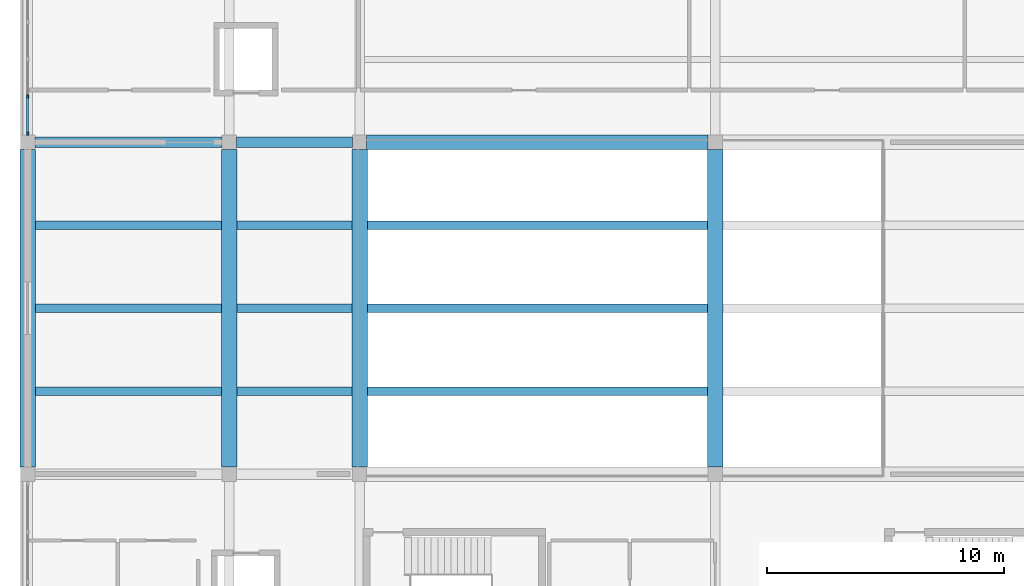
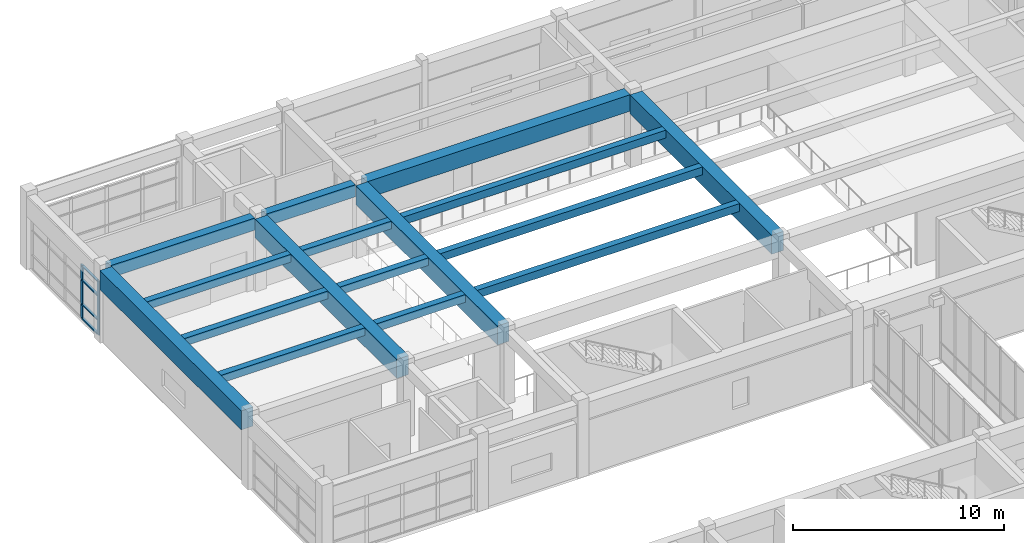
# One storey, part 13 of 72: 16 beams, 6 members, 1 element without a shape of its own.
"""IFC4 building model written with IfcOpenShell, lengths in metres."""

from ifc_helpers import new_model, si_unit, direction, frame, origin, origin_2d, place, context, subcontext, project, spatial, rectangle, extrude, material, layer, layer_set, material_profile, profile_set, type_object, element, aggregate, save


model = new_model("IFC4")

# Units and contexts
model_context = context("Model", 3, precision=1e-05, world=origin(), true_north=direction((0.0, 1.0)))
body_context = subcontext(model_context, "Body", "Model", "MODEL_VIEW")
ifc_project = project(units=[si_unit("LENGTHUNIT", "METRE"), si_unit("AREAUNIT", "SQUARE_METRE"), si_unit("VOLUMEUNIT", "CUBIC_METRE"), si_unit("PLANEANGLEUNIT", "RADIAN"), si_unit("MASSUNIT", "GRAM", prefix="KILO")], contexts=[model_context])

# Site, building, storey
site_placement = place(None, origin())
site = spatial("IfcSite", under=ifc_project, at=site_placement, CompositionType="ELEMENT")
building_placement = place(site_placement, origin())
building = spatial("IfcBuilding", under=site, at=building_placement, Name="Naurynzar Civic Courthouse", CompositionType="ELEMENT")
storey_placement = place(building_placement, frame((0.0, 0.0, 9.89990234375)))
storey = spatial("IfcBuildingStorey", under=building, at=storey_placement, Name="L03", CompositionType="ELEMENT", Elevation=9.89990234375)

# Beams
ifc_material_1 = material(Name="Concrete C40/50", Category="concrete")
ifc_material_profile_1 = material_profile(ifc_material_1, rectangle(XDim=0.60009765625, YDim=0.949951171875, at=origin_2d()), Name="PTB 600x950")
ifc_profile_set_1 = profile_set([ifc_material_profile_1], Name="Concrete C40/50")
beam_type_1 = type_object("IfcBeamType", Name="BM-PT-600x950", PredefinedType="T_BEAM", material=ifc_profile_set_1)
beam_1_placement = place(storey_placement, frame((20.300048828125, 65.0, 3.755126953125), z_axis=(1.0, 0.0, 0.0), x_axis=(0.0, 1.0, 0.0)))
element("IfcBeam", 1, at=beam_1_placement, inside=storey, type_object=beam_type_1, Name="V1 beam X-177 L03", PredefinedType="T_BEAM", context=body_context, shape_type="SweptSolid", body=[
    extrude(rectangle(XDim=0.60009765625, YDim=0.949951171875, at=origin_2d()), origin(), (0.0, 0.0, 1.0), 14.39990234375),
])
ifc_material_2 = material(Name="Concrete C40/50", Category="concrete")
ifc_material_profile_2 = material_profile(ifc_material_2, rectangle(XDim=0.64990234375, YDim=1.10009765625, at=origin_2d()), Name="PTB 650x1100")
ifc_profile_set_2 = profile_set([ifc_material_profile_2], Name="Concrete C40/50")
beam_type_2 = type_object("IfcBeamType", Name="BM-PT-650x1100", PredefinedType="T_BEAM", material=ifc_profile_set_2)
for number, where, z_axis, x_axis, name in (
    (2, (6.0, 51.300048828125, 3.68017578125), (0.0, 1.0, 0.0), (-1.0, 0.0, 0.0), "V1 girder Y-186 L03"),
    (3, (14.5, 51.300048828125, 3.68017578125), (0.0, 1.0, 0.0), (-1.0, 0.0, 0.0), "V1 girder Y-189 L03"),
    (4, (20.0, 51.300048828125, 3.68017578125), (0.0, 1.0, 0.0), (-1.0, 0.0, 0.0), "V1 girder Y-192 L03"),
    (5, (35.0, 51.300048828125, 3.68017578125), (0.0, 1.0, 0.0), (-1.0, 0.0, 0.0), "V1 girder Y-195 L03"),
):
    element("IfcBeam", number, at=place(storey_placement, frame(where, z_axis=z_axis, x_axis=x_axis)), inside=storey, type_object=beam_type_2, Name=name, PredefinedType="T_BEAM", context=body_context, shape_type="SweptSolid", body=[
        extrude(rectangle(XDim=0.64990234375, YDim=1.10009765625, at=origin_2d()), origin(), (0.0, 0.0, 1.0), 13.39990234375),
    ])
ifc_material_3 = material(Name="Concrete C40/50", Category="concrete")
ifc_material_profile_3 = material_profile(ifc_material_3, rectangle(XDim=0.35009765625, YDim=0.449951171875, at=origin_2d()), Name="RCB 350x450")
ifc_profile_set_3 = profile_set([ifc_material_profile_3], Name="Concrete C40/50")
beam_type_3 = type_object("IfcBeamType", Name="BM-RC-350x450", PredefinedType="BEAM", material=ifc_profile_set_3)
for number, where, z_axis, x_axis, name in (
    (6, (6.324951171875, 54.5, 4.005126953125), (1.0, 0.0, 0.0), (0.0, 1.0, 0.0), "V1 secondary rib 204 L03"),
    (7, (6.324951171875, 58.0, 4.005126953125), (1.0, 0.0, 0.0), (0.0, 1.0, 0.0), "V1 secondary rib 205 L03"),
    (8, (6.324951171875, 61.5, 4.005126953125), (1.0, 0.0, 0.0), (0.0, 1.0, 0.0), "V1 secondary rib 206 L03"),
):
    element("IfcBeam", number, at=place(storey_placement, frame(where, z_axis=z_axis, x_axis=x_axis)), inside=storey, type_object=beam_type_3, Name=name, PredefinedType="BEAM", context=body_context, shape_type="SweptSolid", body=[
        extrude(rectangle(XDim=0.35009765625, YDim=0.449951171875, at=origin_2d()), origin(), (0.0, 0.0, 1.0), 7.85009765625),
    ])
for number, where, z_axis, x_axis, name in (
    (9, (14.824951171875, 54.5, 4.005126953125), (1.0, 0.0, 0.0), (0.0, 1.0, 0.0), "V1 secondary rib 207 L03"),
    (10, (14.824951171875, 58.0, 4.005126953125), (1.0, 0.0, 0.0), (0.0, 1.0, 0.0), "V1 secondary rib 208 L03"),
    (11, (14.824951171875, 61.5, 4.005126953125), (1.0, 0.0, 0.0), (0.0, 1.0, 0.0), "V1 secondary rib 209 L03"),
):
    element("IfcBeam", number, at=place(storey_placement, frame(where, z_axis=z_axis, x_axis=x_axis)), inside=storey, type_object=beam_type_3, Name=name, PredefinedType="BEAM", context=body_context, shape_type="SweptSolid", body=[
        extrude(rectangle(XDim=0.35009765625, YDim=0.449951171875, at=origin_2d()), origin(), (0.0, 0.0, 1.0), 4.85009765625),
    ])
for number, where, z_axis, x_axis, name in (
    (12, (20.324951171875, 54.5, 4.005126953125), (1.0, 0.0, 0.0), (0.0, 1.0, 0.0), "V1 secondary rib 210 L03"),
    (13, (20.324951171875, 58.0, 4.005126953125), (1.0, 0.0, 0.0), (0.0, 1.0, 0.0), "V1 secondary rib 211 L03"),
    (14, (20.324951171875, 61.5, 4.005126953125), (1.0, 0.0, 0.0), (0.0, 1.0, 0.0), "V1 secondary rib 212 L03"),
):
    element("IfcBeam", number, at=place(storey_placement, frame(where, z_axis=z_axis, x_axis=x_axis)), inside=storey, type_object=beam_type_3, Name=name, PredefinedType="BEAM", context=body_context, shape_type="SweptSolid", body=[
        extrude(rectangle(XDim=0.35009765625, YDim=0.449951171875, at=origin_2d()), origin(), (0.0, 0.0, 1.0), 14.35009765625),
    ])
ifc_material_4 = material(Name="Concrete C40/50", Category="concrete")
ifc_material_profile_4 = material_profile(ifc_material_4, rectangle(XDim=0.449951171875, YDim=0.699951171875, at=origin_2d()), Name="RCB 450x700")
ifc_profile_set_4 = profile_set([ifc_material_profile_4], Name="Concrete C40/50")
beam_type_4 = type_object("IfcBeamType", Name="BM-RC-450x700", PredefinedType="BEAM", material=ifc_profile_set_4)
beam_2_placement = place(storey_placement, frame((6.300048828125, 65.0, 3.880126953125), z_axis=(1.0, 0.0, 0.0), x_axis=(0.0, 1.0, 0.0)))
element("IfcBeam", 15, at=beam_2_placement, inside=storey, type_object=beam_type_4, Name="V1 beam X-175 L03", PredefinedType="BEAM", context=body_context, shape_type="SweptSolid", body=[
    extrude(rectangle(XDim=0.449951171875, YDim=0.699951171875, at=origin_2d()), origin(), (0.0, 0.0, 1.0), 7.89990234375),
])
beam_3_placement = place(storey_placement, frame((14.800048828125, 65.0, 3.880126953125), z_axis=(1.0, 0.0, 0.0), x_axis=(0.0, 1.0, 0.0)))
element("IfcBeam", 16, at=beam_3_placement, inside=storey, type_object=beam_type_4, Name="V1 beam X-176 L03", PredefinedType="BEAM", context=body_context, shape_type="SweptSolid", body=[
    extrude(rectangle(XDim=0.449951171875, YDim=0.699951171875, at=origin_2d()), origin(), (0.0, 0.0, 1.0), 4.89990234375),
])

# Curtain wall, members
ifc_material_5 = material(Name="Aluminium 6063-T6", Category="aluminium")
ifc_layer = layer(ifc_material_5, 0.159912109375)
ifc_layer_set = layer_set([ifc_layer], Name="CW-UNIT-1800")
curtain_wall_type = type_object("IfcCurtainWallType", Name="CW-UNIT-1800", PredefinedType="NOTDEFINED", material=ifc_layer_set)
curtain_wall_placement = place(storey_placement, origin())
curtain_wall = element("IfcCurtainWall", 17, at=curtain_wall_placement, inside=storey, type_object=curtain_wall_type, Name="V1 unitised curtain wall 8 L03", PredefinedType="NOTDEFINED")
ifc_material_6 = material(Name="Aluminium 6063-T6", Category="aluminium")
ifc_material_profile_5 = material_profile(ifc_material_6, rectangle(XDim=0.070068359375, YDim=0.179931640625, at=origin_2d()), Name="ALU MULLION 70x180")
ifc_profile_set_5 = profile_set([ifc_material_profile_5], Name="Aluminium 6063-T6")
member_type_1 = type_object("IfcMemberType", Name="CWM-70x180", PredefinedType="MULLION", material=ifc_profile_set_5)
member_1_placement = place(storey_placement, frame((6.0, 65.385009765625, 0.0), z_axis=(0.0, 0.0, 1.0), x_axis=(-1.0, 0.0, 0.0)))
member_1 = element("IfcMember", 18, at=member_1_placement, type_object=member_type_1, Name="CW-02 mullion 1", PredefinedType="MULLION", context=body_context, shape_type="SweptSolid", body=[
    extrude(rectangle(XDim=0.070068359375, YDim=0.179931640625, at=origin_2d()), origin(), (0.0, 0.0, 1.0), 3.110107421875),
])
member_2_placement = place(storey_placement, frame((6.0, 66.925048828125, 0.0), z_axis=(0.0, 0.0, 1.0), x_axis=(-1.0, 0.0, 0.0)))
member_2 = element("IfcMember", 19, at=member_2_placement, type_object=member_type_1, Name="CW-02 mullion 2", PredefinedType="MULLION", context=body_context, shape_type="SweptSolid", body=[
    extrude(rectangle(XDim=0.070068359375, YDim=0.179931640625, at=origin_2d()), origin(), (0.0, 0.0, 1.0), 3.110107421875),
])
ifc_material_7 = material(Name="Aluminium 6063-T6", Category="aluminium")
ifc_material_profile_6 = material_profile(ifc_material_7, rectangle(XDim=0.1298828125, YDim=0.070068359375, at=origin_2d()), Name="ALU TRANSOM 70x130")
ifc_profile_set_6 = profile_set([ifc_material_profile_6], Name="Aluminium 6063-T6")
member_type_2 = type_object("IfcMemberType", Name="CWT-70x130", PredefinedType="USERDEFINED", material=ifc_profile_set_6)
member_3_placement = place(storey_placement, frame((6.0, 65.419921875, 0.03515625), z_axis=(0.0, 1.0, 0.0), x_axis=(-1.0, 0.0, 0.0)))
member_3 = element("IfcMember", 20, at=member_3_placement, type_object=member_type_2, Name="CW-02 transom 1.1", ObjectType="TRANSOM", PredefinedType="USERDEFINED", context=body_context, shape_type="SweptSolid", body=[
    extrude(rectangle(XDim=0.1298828125, YDim=0.070068359375, at=origin_2d()), origin(), (0.0, 0.0, 1.0), 1.469970703125),
])
member_4_placement = place(storey_placement, frame((6.0, 65.419921875, 0.85009765625), z_axis=(0.0, 1.0, 0.0), x_axis=(-1.0, 0.0, 0.0)))
member_4 = element("IfcMember", 21, at=member_4_placement, type_object=member_type_2, Name="CW-02 transom 1.2", ObjectType="TRANSOM", PredefinedType="USERDEFINED", context=body_context, shape_type="SweptSolid", body=[
    extrude(rectangle(XDim=0.1298828125, YDim=0.070068359375, at=origin_2d()), origin(), (0.0, 0.0, 1.0), 1.469970703125),
])
member_5_placement = place(storey_placement, frame((6.0, 65.419921875, 2.260009765625), z_axis=(0.0, 1.0, 0.0), x_axis=(-1.0, 0.0, 0.0)))
member_5 = element("IfcMember", 22, at=member_5_placement, type_object=member_type_2, Name="CW-02 transom 1.3", ObjectType="TRANSOM", PredefinedType="USERDEFINED", context=body_context, shape_type="SweptSolid", body=[
    extrude(rectangle(XDim=0.1298828125, YDim=0.070068359375, at=origin_2d()), origin(), (0.0, 0.0, 1.0), 1.469970703125),
])
member_6_placement = place(storey_placement, frame((6.0, 65.419921875, 3.0751953125), z_axis=(0.0, 1.0, 0.0), x_axis=(-1.0, 0.0, 0.0)))
member_6 = element("IfcMember", 23, at=member_6_placement, type_object=member_type_2, Name="CW-02 transom 1.4", ObjectType="TRANSOM", PredefinedType="USERDEFINED", context=body_context, shape_type="SweptSolid", body=[
    extrude(rectangle(XDim=0.1298828125, YDim=0.070068359375, at=origin_2d()), origin(), (0.0, 0.0, 1.0), 1.469970703125),
])
aggregate(curtain_wall, [member_1, member_2, member_3, member_4, member_5, member_6])

save(model, "model.ifc")
